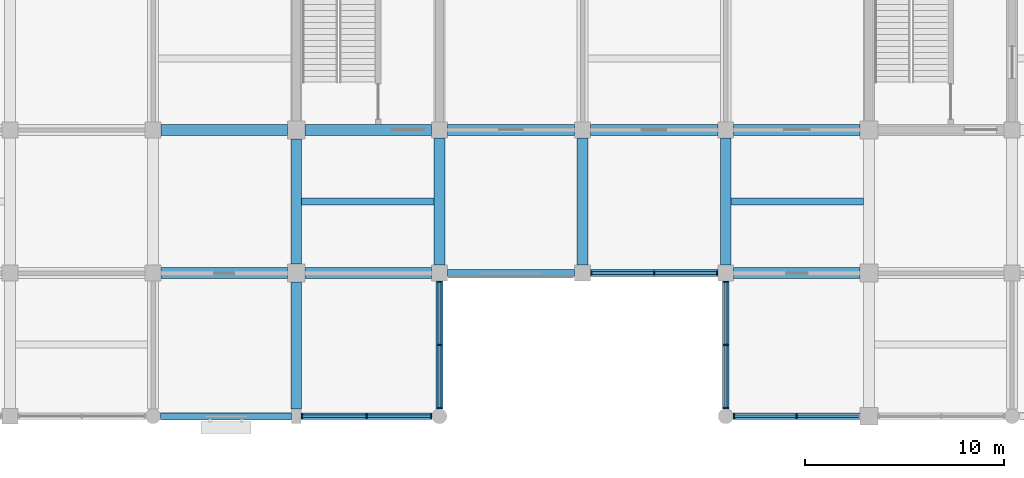
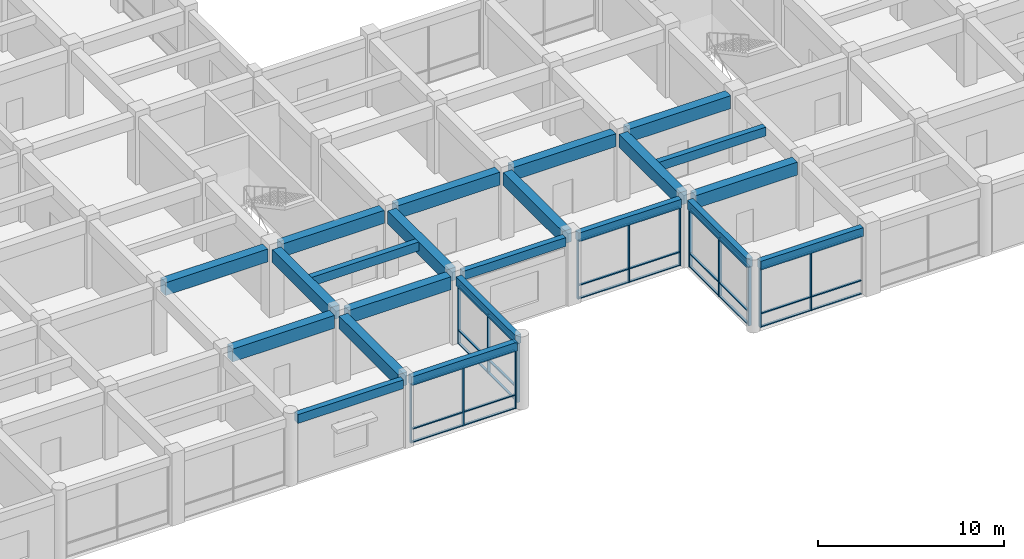
# One storey, part 4 of 75: 44 members, 22 beams, 5 elements without a shape of their own.
"""IFC4 building model written with IfcOpenShell, lengths in metres."""

from ifc_helpers import new_model, si_unit, direction, frame, origin, origin_2d, place, context, subcontext, project, spatial, rectangle, extrude, material, layer, layer_set, material_profile, profile_set, type_object, element, aggregate, save


model = new_model("IFC4")

# Units and contexts
model_context = context("Model", 3, precision=1e-05, world=origin(), true_north=direction((0.0, 1.0)))
body_context = subcontext(model_context, "Body", "Model", "MODEL_VIEW")
ifc_project = project(units=[si_unit("LENGTHUNIT", "METRE"), si_unit("AREAUNIT", "SQUARE_METRE"), si_unit("VOLUMEUNIT", "CUBIC_METRE"), si_unit("PLANEANGLEUNIT", "RADIAN"), si_unit("MASSUNIT", "GRAM", prefix="KILO")], contexts=[model_context])

# Site, building, storey
site_placement = place(None, origin())
site = spatial("IfcSite", under=ifc_project, at=site_placement, CompositionType="ELEMENT")
building_placement = place(site_placement, origin())
building = spatial("IfcBuilding", under=site, at=building_placement, Name="Cendaluz Park School", CompositionType="ELEMENT")
storey_placement = place(building_placement, frame((0.0, 0.0, 4.800048828125)))
storey = spatial("IfcBuildingStorey", under=building, at=storey_placement, Name="L01", CompositionType="ELEMENT", Elevation=4.800048828125)

# Beams
ifc_material_1 = material(Name="Concrete C40/50", Category="concrete")
ifc_material_profile_1 = material_profile(ifc_material_1, rectangle(XDim=0.550048828125, YDim=0.85009765625, at=origin_2d()), Name="RC 550x850", Category="concrete")
ifc_profile_set_1 = profile_set([ifc_material_profile_1], Name="Concrete C40/50")
beam_type_1 = type_object("IfcBeamType", Name="BM-RC01", PredefinedType="BEAM", material=ifc_profile_set_1)
for number, where, z_axis, x_axis, name in (
    (1, (29.199951171875, 7.199951171875, 4.0048828125), (1.0, 0.0, 0.0), (0.0, 1.0, 0.0), "BM-L01-BMRC01-0043"),
    (2, (29.199951171875, 14.39990234375, 4.0048828125), (1.0, 0.0, 0.0), (0.0, 1.0, 0.0), "BM-L01-BMRC01-0044"),
    (3, (36.449951171875, 7.199951171875, 4.0048828125), (1.0, 0.0, 0.0), (0.0, 1.0, 0.0), "BM-L01-BMRC01-0054"),
    (4, (36.449951171875, 14.39990234375, 4.0048828125), (1.0, 0.0, 0.0), (0.0, 1.0, 0.0), "BM-L01-BMRC01-0055"),
):
    element("IfcBeam", number, at=place(storey_placement, frame(where, z_axis=z_axis, x_axis=x_axis)), inside=storey, type_object=beam_type_1, Name=name, PredefinedType="BEAM", context=body_context, shape_type="SweptSolid", body=[
        extrude(rectangle(XDim=0.550048828125, YDim=0.85009765625, at=origin_2d()), origin(), (0.0, 0.0, 1.0), 6.35009765625),
    ])
for number, where, z_axis, x_axis, name in (
    (5, (43.60009765625, 14.39990234375, 4.0048828125), (1.0, 0.0, 0.0), (0.0, 1.0, 0.0), "BM-L01-BMRC01-0070"),
    (6, (50.800048828125, 14.39990234375, 4.0048828125), (1.0, 0.0, 0.0), (0.0, 1.0, 0.0), "BM-L01-BMRC01-0074"),
):
    element("IfcBeam", number, at=place(storey_placement, frame(where, z_axis=z_axis, x_axis=x_axis)), inside=storey, type_object=beam_type_1, Name=name, PredefinedType="BEAM", context=body_context, shape_type="SweptSolid", body=[
        extrude(rectangle(XDim=0.550048828125, YDim=0.85009765625, at=origin_2d()), origin(), (0.0, 0.0, 1.0), 6.39990234375),
    ])
for number, where, z_axis, x_axis, name in (
    (7, (58.0, 7.199951171875, 4.0048828125), (1.0, 0.0, 0.0), (0.0, 1.0, 0.0), "BM-L01-BMRC01-0078"),
    (8, (58.0, 14.39990234375, 4.0048828125), (1.0, 0.0, 0.0), (0.0, 1.0, 0.0), "BM-L01-BMRC01-0079"),
):
    element("IfcBeam", number, at=place(storey_placement, frame(where, z_axis=z_axis, x_axis=x_axis)), inside=storey, type_object=beam_type_1, Name=name, PredefinedType="BEAM", context=body_context, shape_type="SweptSolid", body=[
        extrude(rectangle(XDim=0.550048828125, YDim=0.85009765625, at=origin_2d()), origin(), (0.0, 0.0, 1.0), 6.35009765625),
    ])
beam_1_placement = place(storey_placement, frame((36.0, 0.375, 4.0048828125), z_axis=(0.0, 1.0, 0.0), x_axis=(-1.0, 0.0, 0.0)))
element("IfcBeam", 9, at=beam_1_placement, inside=storey, type_object=beam_type_1, Name="BM-L01-BMRC01-0271", PredefinedType="BEAM", context=body_context, shape_type="SweptSolid", body=[
    extrude(rectangle(XDim=0.550048828125, YDim=0.85009765625, at=origin_2d()), origin(), (0.0, 0.0, 1.0), 6.375),
])
beam_2_placement = place(storey_placement, frame((36.0, 7.64990234375, 4.0048828125), z_axis=(0.0, 1.0, 0.0), x_axis=(-1.0, 0.0, 0.0)))
element("IfcBeam", 10, at=beam_2_placement, inside=storey, type_object=beam_type_1, Name="BM-L01-BMRC01-0272", PredefinedType="BEAM", context=body_context, shape_type="SweptSolid", body=[
    extrude(rectangle(XDim=0.550048828125, YDim=0.85009765625, at=origin_2d()), origin(), (0.0, 0.0, 1.0), 6.300048828125),
])
for number, where, z_axis, x_axis, name in (
    (11, (43.199951171875, 7.60009765625, 4.0048828125), (0.0, 1.0, 0.0), (-1.0, 0.0, 0.0), "BM-L01-BMRC01-0288"),
    (12, (50.39990234375, 7.60009765625, 4.0048828125), (0.0, 1.0, 0.0), (-1.0, 0.0, 0.0), "BM-L01-BMRC01-0303"),
    (13, (57.60009765625, 7.60009765625, 4.0048828125), (0.0, 1.0, 0.0), (-1.0, 0.0, 0.0), "BM-L01-BMRC01-0307"),
):
    element("IfcBeam", number, at=place(storey_placement, frame(where, z_axis=z_axis, x_axis=x_axis)), inside=storey, type_object=beam_type_1, Name=name, PredefinedType="BEAM", context=body_context, shape_type="SweptSolid", body=[
        extrude(rectangle(XDim=0.550048828125, YDim=0.85009765625, at=origin_2d()), origin(), (0.0, 0.0, 1.0), 6.39990234375),
    ])
ifc_material_profile_2 = material_profile(ifc_material_1, rectangle(XDim=0.35009765625, YDim=0.580078125, at=origin_2d()), Name="RC 350x580", Category="concrete")
ifc_profile_set_2 = profile_set([ifc_material_profile_2], Name="Concrete C40/50")
beam_type_2 = type_object("IfcBeamType", Name="BM-RC04", PredefinedType="LINTEL", material=ifc_profile_set_2)
for number, where, z_axis, x_axis, name in (
    (14, (29.175048828125, 0.0, 4.139892578125), (1.0, 0.0, 0.0), (0.0, 1.0, 0.0), "BM-L01-BMRC04-0042"),
    (15, (36.25, 0.0, 4.139892578125), (1.0, 0.0, 0.0), (0.0, 1.0, 0.0), "BM-L01-BMRC04-0053"),
):
    element("IfcBeam", number, at=place(storey_placement, frame(where, z_axis=z_axis, x_axis=x_axis)), inside=storey, type_object=beam_type_2, Name=name, PredefinedType="LINTEL", context=body_context, shape_type="SweptSolid", body=[
        extrude(rectangle(XDim=0.35009765625, YDim=0.580078125, at=origin_2d()), origin(), (0.0, 0.0, 1.0), 6.574951171875),
    ])
for number, where, z_axis, x_axis, name in (
    (16, (43.60009765625, 7.199951171875, 4.139892578125), (1.0, 0.0, 0.0), (0.0, 1.0, 0.0), "BM-L01-BMRC04-0069"),
    (17, (50.800048828125, 7.199951171875, 4.139892578125), (1.0, 0.0, 0.0), (0.0, 1.0, 0.0), "BM-L01-BMRC04-0073"),
):
    element("IfcBeam", number, at=place(storey_placement, frame(where, z_axis=z_axis, x_axis=x_axis)), inside=storey, type_object=beam_type_2, Name=name, PredefinedType="LINTEL", context=body_context, shape_type="SweptSolid", body=[
        extrude(rectangle(XDim=0.35009765625, YDim=0.580078125, at=origin_2d()), origin(), (0.0, 0.0, 1.0), 6.39990234375),
    ])
beam_3_placement = place(storey_placement, frame((57.97509765625, 0.0, 4.139892578125), z_axis=(1.0, 0.0, 0.0), x_axis=(0.0, 1.0, 0.0)))
element("IfcBeam", 18, at=beam_3_placement, inside=storey, type_object=beam_type_2, Name="BM-L01-BMRC04-0077", PredefinedType="LINTEL", context=body_context, shape_type="SweptSolid", body=[
    extrude(rectangle(XDim=0.35009765625, YDim=0.580078125, at=origin_2d()), origin(), (0.0, 0.0, 1.0), 6.375),
])
for number, where, z_axis, x_axis, name in (
    (19, (43.199951171875, 0.375, 4.139892578125), (0.0, 1.0, 0.0), (-1.0, 0.0, 0.0), "BM-L01-BMRC04-0287"),
    (20, (57.60009765625, 0.375, 4.139892578125), (0.0, 1.0, 0.0), (-1.0, 0.0, 0.0), "BM-L01-BMRC04-0306"),
):
    element("IfcBeam", number, at=place(storey_placement, frame(where, z_axis=z_axis, x_axis=x_axis)), inside=storey, type_object=beam_type_2, Name=name, PredefinedType="LINTEL", context=body_context, shape_type="SweptSolid", body=[
        extrude(rectangle(XDim=0.35009765625, YDim=0.580078125, at=origin_2d()), origin(), (0.0, 0.0, 1.0), 6.425048828125),
    ])

# Curtain wall, members
ifc_material_2 = material(Name="Anodised Aluminium 6063-T6", Category="aluminium")
ifc_layer_1 = layer(ifc_material_2, 0.179931640625)
ifc_layer_set_1 = layer_set([ifc_layer_1], Name="Anodised Aluminium 6063-T6")
curtain_wall_type_1 = type_object("IfcCurtainWallType", Name="CW-132x77", PredefinedType="NOTDEFINED", material=ifc_layer_set_1)
curtain_wall_1_placement = place(storey_placement, origin())
curtain_wall_1 = element("IfcCurtainWall", 21, at=curtain_wall_1_placement, inside=storey, type_object=curtain_wall_type_1, Name="CW-L01-023", PredefinedType="NOTDEFINED")
ifc_material_profile_3 = material_profile(ifc_material_2, rectangle(XDim=0.179931640625, YDim=0.070068359375, at=origin_2d()), Name="CWM 180x70", Category="aluminium")
ifc_profile_set_3 = profile_set([ifc_material_profile_3], Name="Anodised Aluminium 6063-T6")
member_type_1 = type_object("IfcMemberType", Name="CWM-01", PredefinedType="MULLION", material=ifc_profile_set_3)
member_1_placement = place(storey_placement, frame((36.284912109375, 0.0, 0.0), z_axis=(0.0, 0.0, 1.0), x_axis=(0.0, 1.0, 0.0)))
member_1 = element("IfcMember", 22, at=member_1_placement, type_object=member_type_1, Name="CP-L01-0287", PredefinedType="MULLION", context=body_context, shape_type="SweptSolid", body=[
    extrude(rectangle(XDim=0.179931640625, YDim=0.070068359375, at=origin_2d()), origin(), (0.0, 0.0, 1.0), 3.849853515625),
])
member_2_placement = place(storey_placement, frame((39.53759765625, 0.0, 0.0), z_axis=(0.0, 0.0, 1.0), x_axis=(0.0, 1.0, 0.0)))
member_2 = element("IfcMember", 23, at=member_2_placement, type_object=member_type_1, Name="CP-L01-0288", PredefinedType="MULLION", context=body_context, shape_type="SweptSolid", body=[
    extrude(rectangle(XDim=0.179931640625, YDim=0.070068359375, at=origin_2d()), origin(), (0.0, 0.0, 1.0), 3.849853515625),
])
member_3_placement = place(storey_placement, frame((42.7900390625, 0.0, 0.0), z_axis=(0.0, 0.0, 1.0), x_axis=(0.0, 1.0, 0.0)))
member_3 = element("IfcMember", 24, at=member_3_placement, type_object=member_type_1, Name="CP-L01-0289", PredefinedType="MULLION", context=body_context, shape_type="SweptSolid", body=[
    extrude(rectangle(XDim=0.179931640625, YDim=0.070068359375, at=origin_2d()), origin(), (0.0, 0.0, 1.0), 3.849853515625),
])

ifc_layer_2 = layer(ifc_material_2, 0.179931640625)
ifc_layer_set_2 = layer_set([ifc_layer_2], Name="Anodised Aluminium 6063-T6")
curtain_wall_type_2 = type_object("IfcCurtainWallType", Name="CW-128x77", PredefinedType="NOTDEFINED", material=ifc_layer_set_2)
curtain_wall_2_placement = place(storey_placement, origin())
curtain_wall_2 = element("IfcCurtainWall", 25, at=curtain_wall_2_placement, inside=storey, type_object=curtain_wall_type_2, Name="CW-L01-024", PredefinedType="NOTDEFINED")
member_4_placement = place(storey_placement, frame((43.199951171875, 0.409912109375, 0.0), z_axis=(0.0, 0.0, 1.0), x_axis=(-1.0, 0.0, 0.0)))
member_4 = element("IfcMember", 26, at=member_4_placement, type_object=member_type_1, Name="CP-L01-0300", PredefinedType="MULLION", context=body_context, shape_type="SweptSolid", body=[
    extrude(rectangle(XDim=0.179931640625, YDim=0.070068359375, at=origin_2d()), origin(), (0.0, 0.0, 1.0), 3.849853515625),
])
member_5_placement = place(storey_placement, frame((43.199951171875, 3.58740234375, 0.0), z_axis=(0.0, 0.0, 1.0), x_axis=(-1.0, 0.0, 0.0)))
member_5 = element("IfcMember", 27, at=member_5_placement, type_object=member_type_1, Name="CP-L01-0301", PredefinedType="MULLION", context=body_context, shape_type="SweptSolid", body=[
    extrude(rectangle(XDim=0.179931640625, YDim=0.070068359375, at=origin_2d()), origin(), (0.0, 0.0, 1.0), 3.849853515625),
])
member_6_placement = place(storey_placement, frame((43.199951171875, 6.764892578125, 0.0), z_axis=(0.0, 0.0, 1.0), x_axis=(-1.0, 0.0, 0.0)))
member_6 = element("IfcMember", 28, at=member_6_placement, type_object=member_type_1, Name="CP-L01-0302", PredefinedType="MULLION", context=body_context, shape_type="SweptSolid", body=[
    extrude(rectangle(XDim=0.179931640625, YDim=0.070068359375, at=origin_2d()), origin(), (0.0, 0.0, 1.0), 3.849853515625),
])

curtain_wall_3_placement = place(storey_placement, origin())
curtain_wall_3 = element("IfcCurtainWall", 29, at=curtain_wall_3_placement, inside=storey, type_object=curtain_wall_type_2, Name="CW-L01-034", PredefinedType="NOTDEFINED")
member_7_placement = place(storey_placement, frame((50.8349609375, 7.199951171875, 0.0), z_axis=(0.0, 0.0, 1.0), x_axis=(0.0, 1.0, 0.0)))
member_7 = element("IfcMember", 30, at=member_7_placement, type_object=member_type_1, Name="CP-L01-0430", PredefinedType="MULLION", context=body_context, shape_type="SweptSolid", body=[
    extrude(rectangle(XDim=0.179931640625, YDim=0.070068359375, at=origin_2d()), origin(), (0.0, 0.0, 1.0), 3.849853515625),
])
member_8_placement = place(storey_placement, frame((54.0, 7.199951171875, 0.0), z_axis=(0.0, 0.0, 1.0), x_axis=(0.0, 1.0, 0.0)))
member_8 = element("IfcMember", 31, at=member_8_placement, type_object=member_type_1, Name="CP-L01-0431", PredefinedType="MULLION", context=body_context, shape_type="SweptSolid", body=[
    extrude(rectangle(XDim=0.179931640625, YDim=0.070068359375, at=origin_2d()), origin(), (0.0, 0.0, 1.0), 3.849853515625),
])
member_9_placement = place(storey_placement, frame((57.1650390625, 7.199951171875, 0.0), z_axis=(0.0, 0.0, 1.0), x_axis=(0.0, 1.0, 0.0)))
member_9 = element("IfcMember", 32, at=member_9_placement, type_object=member_type_1, Name="CP-L01-0432", PredefinedType="MULLION", context=body_context, shape_type="SweptSolid", body=[
    extrude(rectangle(XDim=0.179931640625, YDim=0.070068359375, at=origin_2d()), origin(), (0.0, 0.0, 1.0), 3.849853515625),
])

curtain_wall_4_placement = place(storey_placement, origin())
curtain_wall_4 = element("IfcCurtainWall", 33, at=curtain_wall_4_placement, inside=storey, type_object=curtain_wall_type_2, Name="CW-L01-036", PredefinedType="NOTDEFINED")
member_10_placement = place(storey_placement, frame((58.010009765625, 0.0, 0.0), z_axis=(0.0, 0.0, 1.0), x_axis=(0.0, 1.0, 0.0)))
member_10 = element("IfcMember", 34, at=member_10_placement, type_object=member_type_1, Name="CP-L01-0456", PredefinedType="MULLION", context=body_context, shape_type="SweptSolid", body=[
    extrude(rectangle(XDim=0.179931640625, YDim=0.070068359375, at=origin_2d()), origin(), (0.0, 0.0, 1.0), 3.849853515625),
])
member_11_placement = place(storey_placement, frame((61.16259765625, 0.0, 0.0), z_axis=(0.0, 0.0, 1.0), x_axis=(0.0, 1.0, 0.0)))
member_11 = element("IfcMember", 35, at=member_11_placement, type_object=member_type_1, Name="CP-L01-0457", PredefinedType="MULLION", context=body_context, shape_type="SweptSolid", body=[
    extrude(rectangle(XDim=0.179931640625, YDim=0.070068359375, at=origin_2d()), origin(), (0.0, 0.0, 1.0), 3.849853515625),
])

curtain_wall_5_placement = place(storey_placement, origin())
curtain_wall_5 = element("IfcCurtainWall", 36, at=curtain_wall_5_placement, inside=storey, type_object=curtain_wall_type_2, Name="CW-L01-037", PredefinedType="NOTDEFINED")
member_12_placement = place(storey_placement, frame((57.60009765625, 0.409912109375, 0.0), z_axis=(0.0, 0.0, 1.0), x_axis=(-1.0, 0.0, 0.0)))
member_12 = element("IfcMember", 37, at=member_12_placement, type_object=member_type_1, Name="CP-L01-0469", PredefinedType="MULLION", context=body_context, shape_type="SweptSolid", body=[
    extrude(rectangle(XDim=0.179931640625, YDim=0.070068359375, at=origin_2d()), origin(), (0.0, 0.0, 1.0), 3.849853515625),
])
member_13_placement = place(storey_placement, frame((57.60009765625, 3.58740234375, 0.0), z_axis=(0.0, 0.0, 1.0), x_axis=(-1.0, 0.0, 0.0)))
member_13 = element("IfcMember", 38, at=member_13_placement, type_object=member_type_1, Name="CP-L01-0470", PredefinedType="MULLION", context=body_context, shape_type="SweptSolid", body=[
    extrude(rectangle(XDim=0.179931640625, YDim=0.070068359375, at=origin_2d()), origin(), (0.0, 0.0, 1.0), 3.849853515625),
])
member_14_placement = place(storey_placement, frame((57.60009765625, 6.764892578125, 0.0), z_axis=(0.0, 0.0, 1.0), x_axis=(-1.0, 0.0, 0.0)))
member_14 = element("IfcMember", 39, at=member_14_placement, type_object=member_type_1, Name="CP-L01-0471", PredefinedType="MULLION", context=body_context, shape_type="SweptSolid", body=[
    extrude(rectangle(XDim=0.179931640625, YDim=0.070068359375, at=origin_2d()), origin(), (0.0, 0.0, 1.0), 3.849853515625),
])

# Member
ifc_material_profile_4 = material_profile(ifc_material_2, rectangle(XDim=0.139892578125, YDim=0.070068359375, at=origin_2d()), Name="CWT 140x70", Category="aluminium")
ifc_profile_set_4 = profile_set([ifc_material_profile_4], Name="Anodised Aluminium 6063-T6")
member_type_2 = type_object("IfcMemberType", Name="CWT-01", PredefinedType="USERDEFINED", material=ifc_profile_set_4)
member_15_placement = place(storey_placement, frame((36.320068359375, 0.0, 0.034912109375), z_axis=(1.0, 0.0, 0.0), x_axis=(0.0, 1.0, 0.0)))
member_15 = element("IfcMember", 40, at=member_15_placement, type_object=member_type_2, Name="CP-L01-0290", ObjectType="TRANSOM", PredefinedType="USERDEFINED", context=body_context, shape_type="SweptSolid", body=[
    extrude(rectangle(XDim=0.139892578125, YDim=0.070068359375, at=origin_2d()), origin(), (0.0, 0.0, 1.0), 3.182373046875),
])

member_16_placement = place(storey_placement, frame((36.320068359375, 0.0, 0.89990234375), z_axis=(1.0, 0.0, 0.0), x_axis=(0.0, 1.0, 0.0)))
member_16 = element("IfcMember", 41, at=member_16_placement, type_object=member_type_2, Name="CP-L01-0291", ObjectType="TRANSOM", PredefinedType="USERDEFINED", context=body_context, shape_type="SweptSolid", body=[
    extrude(rectangle(XDim=0.139892578125, YDim=0.070068359375, at=origin_2d()), origin(), (0.0, 0.0, 1.0), 3.182373046875),
])

member_17_placement = place(storey_placement, frame((36.320068359375, 0.0, 3.81494140625), z_axis=(1.0, 0.0, 0.0), x_axis=(0.0, 1.0, 0.0)))
member_17 = element("IfcMember", 42, at=member_17_placement, type_object=member_type_2, Name="CP-L01-0292", ObjectType="TRANSOM", PredefinedType="USERDEFINED", context=body_context, shape_type="SweptSolid", body=[
    extrude(rectangle(XDim=0.139892578125, YDim=0.070068359375, at=origin_2d()), origin(), (0.0, 0.0, 1.0), 3.182373046875),
])

member_18_placement = place(storey_placement, frame((39.572509765625, 0.0, 0.034912109375), z_axis=(1.0, 0.0, 0.0), x_axis=(0.0, 1.0, 0.0)))
member_18 = element("IfcMember", 43, at=member_18_placement, type_object=member_type_2, Name="CP-L01-0295", ObjectType="TRANSOM", PredefinedType="USERDEFINED", context=body_context, shape_type="SweptSolid", body=[
    extrude(rectangle(XDim=0.139892578125, YDim=0.070068359375, at=origin_2d()), origin(), (0.0, 0.0, 1.0), 3.182373046875),
])

member_19_placement = place(storey_placement, frame((39.572509765625, 0.0, 0.89990234375), z_axis=(1.0, 0.0, 0.0), x_axis=(0.0, 1.0, 0.0)))
member_19 = element("IfcMember", 44, at=member_19_placement, type_object=member_type_2, Name="CP-L01-0296", ObjectType="TRANSOM", PredefinedType="USERDEFINED", context=body_context, shape_type="SweptSolid", body=[
    extrude(rectangle(XDim=0.139892578125, YDim=0.070068359375, at=origin_2d()), origin(), (0.0, 0.0, 1.0), 3.182373046875),
])

member_20_placement = place(storey_placement, frame((39.572509765625, 0.0, 3.81494140625), z_axis=(1.0, 0.0, 0.0), x_axis=(0.0, 1.0, 0.0)))
member_20 = element("IfcMember", 45, at=member_20_placement, type_object=member_type_2, Name="CP-L01-0297", ObjectType="TRANSOM", PredefinedType="USERDEFINED", context=body_context, shape_type="SweptSolid", body=[
    extrude(rectangle(XDim=0.139892578125, YDim=0.070068359375, at=origin_2d()), origin(), (0.0, 0.0, 1.0), 3.182373046875),
])

aggregate(curtain_wall_1, [member_1, member_2, member_3, member_15, member_16, member_17, member_18, member_19, member_20])

member_21_placement = place(storey_placement, frame((43.199951171875, 0.445068359375, 0.034912109375), z_axis=(0.0, 1.0, 0.0), x_axis=(-1.0, 0.0, 0.0)))
member_21 = element("IfcMember", 46, at=member_21_placement, type_object=member_type_2, Name="CP-L01-0303", ObjectType="TRANSOM", PredefinedType="USERDEFINED", context=body_context, shape_type="SweptSolid", body=[
    extrude(rectangle(XDim=0.139892578125, YDim=0.070068359375, at=origin_2d()), origin(), (0.0, 0.0, 1.0), 3.107421875),
])

member_22_placement = place(storey_placement, frame((43.199951171875, 0.445068359375, 0.89990234375), z_axis=(0.0, 1.0, 0.0), x_axis=(-1.0, 0.0, 0.0)))
member_22 = element("IfcMember", 47, at=member_22_placement, type_object=member_type_2, Name="CP-L01-0304", ObjectType="TRANSOM", PredefinedType="USERDEFINED", context=body_context, shape_type="SweptSolid", body=[
    extrude(rectangle(XDim=0.139892578125, YDim=0.070068359375, at=origin_2d()), origin(), (0.0, 0.0, 1.0), 3.107421875),
])

member_23_placement = place(storey_placement, frame((43.199951171875, 0.445068359375, 3.81494140625), z_axis=(0.0, 1.0, 0.0), x_axis=(-1.0, 0.0, 0.0)))
member_23 = element("IfcMember", 48, at=member_23_placement, type_object=member_type_2, Name="CP-L01-0305", ObjectType="TRANSOM", PredefinedType="USERDEFINED", context=body_context, shape_type="SweptSolid", body=[
    extrude(rectangle(XDim=0.139892578125, YDim=0.070068359375, at=origin_2d()), origin(), (0.0, 0.0, 1.0), 3.107421875),
])

member_24_placement = place(storey_placement, frame((43.199951171875, 3.62255859375, 0.034912109375), z_axis=(0.0, 1.0, 0.0), x_axis=(-1.0, 0.0, 0.0)))
member_24 = element("IfcMember", 49, at=member_24_placement, type_object=member_type_2, Name="CP-L01-0308", ObjectType="TRANSOM", PredefinedType="USERDEFINED", context=body_context, shape_type="SweptSolid", body=[
    extrude(rectangle(XDim=0.139892578125, YDim=0.070068359375, at=origin_2d()), origin(), (0.0, 0.0, 1.0), 3.107421875),
])

member_25_placement = place(storey_placement, frame((43.199951171875, 3.62255859375, 0.89990234375), z_axis=(0.0, 1.0, 0.0), x_axis=(-1.0, 0.0, 0.0)))
member_25 = element("IfcMember", 50, at=member_25_placement, type_object=member_type_2, Name="CP-L01-0309", ObjectType="TRANSOM", PredefinedType="USERDEFINED", context=body_context, shape_type="SweptSolid", body=[
    extrude(rectangle(XDim=0.139892578125, YDim=0.070068359375, at=origin_2d()), origin(), (0.0, 0.0, 1.0), 3.107421875),
])

member_26_placement = place(storey_placement, frame((43.199951171875, 3.62255859375, 3.81494140625), z_axis=(0.0, 1.0, 0.0), x_axis=(-1.0, 0.0, 0.0)))
member_26 = element("IfcMember", 51, at=member_26_placement, type_object=member_type_2, Name="CP-L01-0310", ObjectType="TRANSOM", PredefinedType="USERDEFINED", context=body_context, shape_type="SweptSolid", body=[
    extrude(rectangle(XDim=0.139892578125, YDim=0.070068359375, at=origin_2d()), origin(), (0.0, 0.0, 1.0), 3.107421875),
])

aggregate(curtain_wall_2, [member_4, member_5, member_6, member_21, member_22, member_23, member_24, member_25, member_26])

member_27_placement = place(storey_placement, frame((50.8701171875, 7.199951171875, 0.034912109375), z_axis=(1.0, 0.0, 0.0), x_axis=(0.0, 1.0, 0.0)))
member_27 = element("IfcMember", 52, at=member_27_placement, type_object=member_type_2, Name="CP-L01-0433", ObjectType="TRANSOM", PredefinedType="USERDEFINED", context=body_context, shape_type="SweptSolid", body=[
    extrude(rectangle(XDim=0.139892578125, YDim=0.070068359375, at=origin_2d()), origin(), (0.0, 0.0, 1.0), 3.094970703125),
])

member_28_placement = place(storey_placement, frame((50.8701171875, 7.199951171875, 0.89990234375), z_axis=(1.0, 0.0, 0.0), x_axis=(0.0, 1.0, 0.0)))
member_28 = element("IfcMember", 53, at=member_28_placement, type_object=member_type_2, Name="CP-L01-0434", ObjectType="TRANSOM", PredefinedType="USERDEFINED", context=body_context, shape_type="SweptSolid", body=[
    extrude(rectangle(XDim=0.139892578125, YDim=0.070068359375, at=origin_2d()), origin(), (0.0, 0.0, 1.0), 3.094970703125),
])

member_29_placement = place(storey_placement, frame((50.8701171875, 7.199951171875, 3.81494140625), z_axis=(1.0, 0.0, 0.0), x_axis=(0.0, 1.0, 0.0)))
member_29 = element("IfcMember", 54, at=member_29_placement, type_object=member_type_2, Name="CP-L01-0435", ObjectType="TRANSOM", PredefinedType="USERDEFINED", context=body_context, shape_type="SweptSolid", body=[
    extrude(rectangle(XDim=0.139892578125, YDim=0.070068359375, at=origin_2d()), origin(), (0.0, 0.0, 1.0), 3.094970703125),
])

member_30_placement = place(storey_placement, frame((54.034912109375, 7.199951171875, 0.034912109375), z_axis=(1.0, 0.0, 0.0), x_axis=(0.0, 1.0, 0.0)))
member_30 = element("IfcMember", 55, at=member_30_placement, type_object=member_type_2, Name="CP-L01-0438", ObjectType="TRANSOM", PredefinedType="USERDEFINED", context=body_context, shape_type="SweptSolid", body=[
    extrude(rectangle(XDim=0.139892578125, YDim=0.070068359375, at=origin_2d()), origin(), (0.0, 0.0, 1.0), 3.094970703125),
])

member_31_placement = place(storey_placement, frame((54.034912109375, 7.199951171875, 0.89990234375), z_axis=(1.0, 0.0, 0.0), x_axis=(0.0, 1.0, 0.0)))
member_31 = element("IfcMember", 56, at=member_31_placement, type_object=member_type_2, Name="CP-L01-0439", ObjectType="TRANSOM", PredefinedType="USERDEFINED", context=body_context, shape_type="SweptSolid", body=[
    extrude(rectangle(XDim=0.139892578125, YDim=0.070068359375, at=origin_2d()), origin(), (0.0, 0.0, 1.0), 3.094970703125),
])

member_32_placement = place(storey_placement, frame((54.034912109375, 7.199951171875, 3.81494140625), z_axis=(1.0, 0.0, 0.0), x_axis=(0.0, 1.0, 0.0)))
member_32 = element("IfcMember", 57, at=member_32_placement, type_object=member_type_2, Name="CP-L01-0440", ObjectType="TRANSOM", PredefinedType="USERDEFINED", context=body_context, shape_type="SweptSolid", body=[
    extrude(rectangle(XDim=0.139892578125, YDim=0.070068359375, at=origin_2d()), origin(), (0.0, 0.0, 1.0), 3.094970703125),
])

aggregate(curtain_wall_3, [member_7, member_8, member_9, member_27, member_28, member_29, member_30, member_31, member_32])

member_33_placement = place(storey_placement, frame((58.044921875, 0.0, 0.034912109375), z_axis=(1.0, 0.0, 0.0), x_axis=(0.0, 1.0, 0.0)))
member_33 = element("IfcMember", 58, at=member_33_placement, type_object=member_type_2, Name="CP-L01-0459", ObjectType="TRANSOM", PredefinedType="USERDEFINED", context=body_context, shape_type="SweptSolid", body=[
    extrude(rectangle(XDim=0.139892578125, YDim=0.070068359375, at=origin_2d()), origin(), (0.0, 0.0, 1.0), 3.08251953125),
])

member_34_placement = place(storey_placement, frame((58.044921875, 0.0, 0.89990234375), z_axis=(1.0, 0.0, 0.0), x_axis=(0.0, 1.0, 0.0)))
member_34 = element("IfcMember", 59, at=member_34_placement, type_object=member_type_2, Name="CP-L01-0460", ObjectType="TRANSOM", PredefinedType="USERDEFINED", context=body_context, shape_type="SweptSolid", body=[
    extrude(rectangle(XDim=0.139892578125, YDim=0.070068359375, at=origin_2d()), origin(), (0.0, 0.0, 1.0), 3.08251953125),
])

member_35_placement = place(storey_placement, frame((58.044921875, 0.0, 3.81494140625), z_axis=(1.0, 0.0, 0.0), x_axis=(0.0, 1.0, 0.0)))
member_35 = element("IfcMember", 60, at=member_35_placement, type_object=member_type_2, Name="CP-L01-0461", ObjectType="TRANSOM", PredefinedType="USERDEFINED", context=body_context, shape_type="SweptSolid", body=[
    extrude(rectangle(XDim=0.139892578125, YDim=0.070068359375, at=origin_2d()), origin(), (0.0, 0.0, 1.0), 3.08251953125),
])

member_36_placement = place(storey_placement, frame((61.197509765625, 0.0, 0.034912109375), z_axis=(1.0, 0.0, 0.0), x_axis=(0.0, 1.0, 0.0)))
member_36 = element("IfcMember", 61, at=member_36_placement, type_object=member_type_2, Name="CP-L01-0464", ObjectType="TRANSOM", PredefinedType="USERDEFINED", context=body_context, shape_type="SweptSolid", body=[
    extrude(rectangle(XDim=0.139892578125, YDim=0.070068359375, at=origin_2d()), origin(), (0.0, 0.0, 1.0), 3.08251953125),
])

member_37_placement = place(storey_placement, frame((61.197509765625, 0.0, 0.89990234375), z_axis=(1.0, 0.0, 0.0), x_axis=(0.0, 1.0, 0.0)))
member_37 = element("IfcMember", 62, at=member_37_placement, type_object=member_type_2, Name="CP-L01-0465", ObjectType="TRANSOM", PredefinedType="USERDEFINED", context=body_context, shape_type="SweptSolid", body=[
    extrude(rectangle(XDim=0.139892578125, YDim=0.070068359375, at=origin_2d()), origin(), (0.0, 0.0, 1.0), 3.08251953125),
])

member_38_placement = place(storey_placement, frame((61.197509765625, 0.0, 3.81494140625), z_axis=(1.0, 0.0, 0.0), x_axis=(0.0, 1.0, 0.0)))
member_38 = element("IfcMember", 63, at=member_38_placement, type_object=member_type_2, Name="CP-L01-0466", ObjectType="TRANSOM", PredefinedType="USERDEFINED", context=body_context, shape_type="SweptSolid", body=[
    extrude(rectangle(XDim=0.139892578125, YDim=0.070068359375, at=origin_2d()), origin(), (0.0, 0.0, 1.0), 3.08251953125),
])

aggregate(curtain_wall_4, [member_10, member_11, member_33, member_34, member_35, member_36, member_37, member_38])

member_39_placement = place(storey_placement, frame((57.60009765625, 0.445068359375, 0.034912109375), z_axis=(0.0, 1.0, 0.0), x_axis=(-1.0, 0.0, 0.0)))
member_39 = element("IfcMember", 64, at=member_39_placement, type_object=member_type_2, Name="CP-L01-0472", ObjectType="TRANSOM", PredefinedType="USERDEFINED", context=body_context, shape_type="SweptSolid", body=[
    extrude(rectangle(XDim=0.139892578125, YDim=0.070068359375, at=origin_2d()), origin(), (0.0, 0.0, 1.0), 3.107421875),
])

member_40_placement = place(storey_placement, frame((57.60009765625, 0.445068359375, 0.89990234375), z_axis=(0.0, 1.0, 0.0), x_axis=(-1.0, 0.0, 0.0)))
member_40 = element("IfcMember", 65, at=member_40_placement, type_object=member_type_2, Name="CP-L01-0473", ObjectType="TRANSOM", PredefinedType="USERDEFINED", context=body_context, shape_type="SweptSolid", body=[
    extrude(rectangle(XDim=0.139892578125, YDim=0.070068359375, at=origin_2d()), origin(), (0.0, 0.0, 1.0), 3.107421875),
])

member_41_placement = place(storey_placement, frame((57.60009765625, 0.445068359375, 3.81494140625), z_axis=(0.0, 1.0, 0.0), x_axis=(-1.0, 0.0, 0.0)))
member_41 = element("IfcMember", 66, at=member_41_placement, type_object=member_type_2, Name="CP-L01-0474", ObjectType="TRANSOM", PredefinedType="USERDEFINED", context=body_context, shape_type="SweptSolid", body=[
    extrude(rectangle(XDim=0.139892578125, YDim=0.070068359375, at=origin_2d()), origin(), (0.0, 0.0, 1.0), 3.107421875),
])

member_42_placement = place(storey_placement, frame((57.60009765625, 3.62255859375, 0.034912109375), z_axis=(0.0, 1.0, 0.0), x_axis=(-1.0, 0.0, 0.0)))
member_42 = element("IfcMember", 67, at=member_42_placement, type_object=member_type_2, Name="CP-L01-0477", ObjectType="TRANSOM", PredefinedType="USERDEFINED", context=body_context, shape_type="SweptSolid", body=[
    extrude(rectangle(XDim=0.139892578125, YDim=0.070068359375, at=origin_2d()), origin(), (0.0, 0.0, 1.0), 3.107421875),
])

member_43_placement = place(storey_placement, frame((57.60009765625, 3.62255859375, 0.89990234375), z_axis=(0.0, 1.0, 0.0), x_axis=(-1.0, 0.0, 0.0)))
member_43 = element("IfcMember", 68, at=member_43_placement, type_object=member_type_2, Name="CP-L01-0478", ObjectType="TRANSOM", PredefinedType="USERDEFINED", context=body_context, shape_type="SweptSolid", body=[
    extrude(rectangle(XDim=0.139892578125, YDim=0.070068359375, at=origin_2d()), origin(), (0.0, 0.0, 1.0), 3.107421875),
])

member_44_placement = place(storey_placement, frame((57.60009765625, 3.62255859375, 3.81494140625), z_axis=(0.0, 1.0, 0.0), x_axis=(-1.0, 0.0, 0.0)))
member_44 = element("IfcMember", 69, at=member_44_placement, type_object=member_type_2, Name="CP-L01-0479", ObjectType="TRANSOM", PredefinedType="USERDEFINED", context=body_context, shape_type="SweptSolid", body=[
    extrude(rectangle(XDim=0.139892578125, YDim=0.070068359375, at=origin_2d()), origin(), (0.0, 0.0, 1.0), 3.107421875),
])

aggregate(curtain_wall_5, [member_12, member_13, member_14, member_39, member_40, member_41, member_42, member_43, member_44])

# Beams
ifc_material_profile_5 = material_profile(ifc_material_1, rectangle(XDim=0.35009765625, YDim=0.580078125, at=origin_2d()), Name="RC 350x580", Category="concrete")
ifc_profile_set_5 = profile_set([ifc_material_profile_5], Name="Concrete C40/50")
beam_type_3 = type_object("IfcBeamType", Name="JT-RC01", PredefinedType="JOIST", material=ifc_profile_set_5)
beam_4_placement = place(storey_placement, frame((36.27490234375, 10.800048828125, 4.139892578125), z_axis=(1.0, 0.0, 0.0), x_axis=(0.0, 1.0, 0.0)))
element("IfcBeam", 70, at=beam_4_placement, inside=storey, type_object=beam_type_3, Name="BM-L01-JTRC01-0479", PredefinedType="JOIST", context=body_context, shape_type="SweptSolid", body=[
    extrude(rectangle(XDim=0.35009765625, YDim=0.580078125, at=origin_2d()), origin(), (0.0, 0.0, 1.0), 6.650146484375),
])
beam_5_placement = place(storey_placement, frame((57.875, 10.800048828125, 4.139892578125), z_axis=(1.0, 0.0, 0.0), x_axis=(0.0, 1.0, 0.0)))
element("IfcBeam", 71, at=beam_5_placement, inside=storey, type_object=beam_type_3, Name="BM-L01-JTRC01-0486", PredefinedType="JOIST", context=body_context, shape_type="SweptSolid", body=[
    extrude(rectangle(XDim=0.35009765625, YDim=0.580078125, at=origin_2d()), origin(), (0.0, 0.0, 1.0), 6.64990234375),
])

save(model, "model.ifc")
